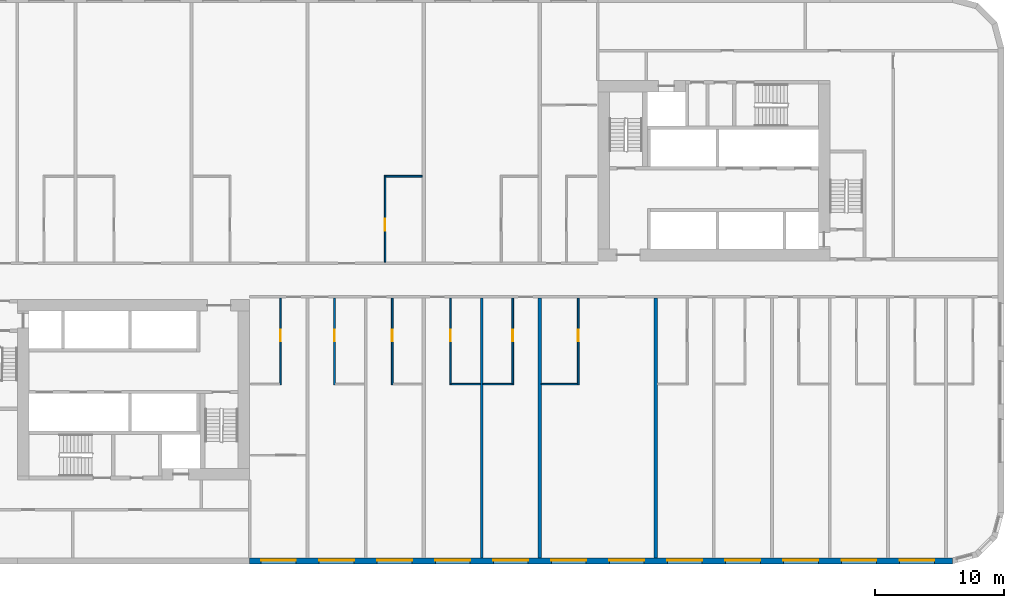
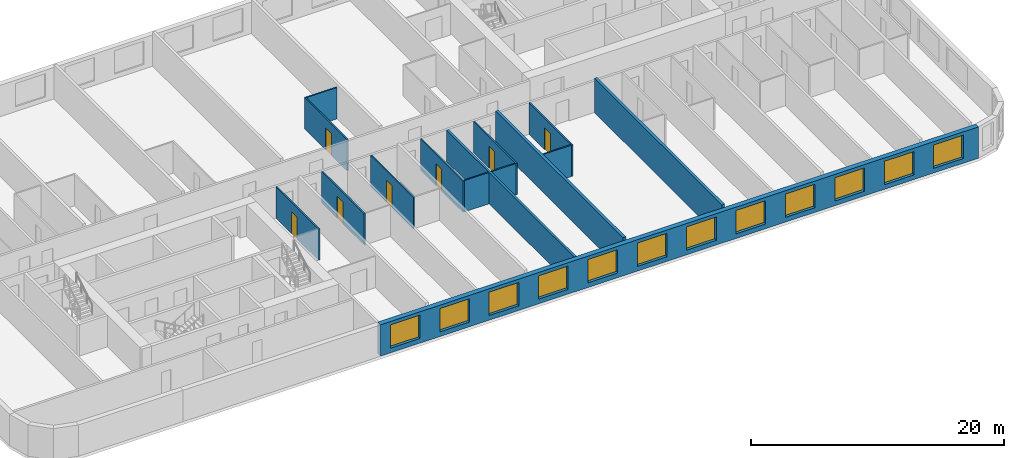
# One storey, part 4 of 12: 15 walls, 12 windows, 7 doors, 19 openings.
"""IFC4 building model written with IfcOpenShell, lengths in metres."""

from ifc_helpers import new_model, si_unit, direction, frame, frame_2d, origin, place, context, subcontext, project, spatial, rectangle, extrude, material, layer, layer_set, type_object, element, fill, save


model = new_model("IFC4")

# Units and contexts
model_context = context("Model", 3, precision=1e-05, world=origin(), true_north=direction((0.0, 1.0)))
body_context = subcontext(model_context, "Body", "Model", "MODEL_VIEW")
ifc_project = project(units=[si_unit("LENGTHUNIT", "METRE"), si_unit("AREAUNIT", "SQUARE_METRE"), si_unit("VOLUMEUNIT", "CUBIC_METRE"), si_unit("PLANEANGLEUNIT", "RADIAN"), si_unit("MASSUNIT", "GRAM", prefix="KILO")], contexts=[model_context])

# Site, building, storey
site_placement = place(None, origin())
site = spatial("IfcSite", under=ifc_project, at=site_placement, CompositionType="ELEMENT")
building_placement = place(site_placement, origin())
building = spatial("IfcBuilding", under=site, at=building_placement, Name="Kajstack Hotel Tower", CompositionType="ELEMENT")
storey_placement = place(building_placement, frame((0.0, 0.0, 86.39990234375)))
storey = spatial("IfcBuildingStorey", under=building, at=storey_placement, Name="L17", CompositionType="ELEMENT", Elevation=86.39990234375)

# Wall
ifc_material_1 = material(Name="Twin-frame gypsum board on steel studs, mineral wool", Category="steel")
ifc_layer_1 = layer(ifc_material_1, 0.199951171875)
ifc_layer_set_1 = layer_set([ifc_layer_1], Name="Demising wall 200")
wall_type_1 = type_object("IfcWallType", Name="Demising wall 200", PredefinedType="PARTITIONING", material=ifc_layer_set_1)
wall_1_placement = place(storey_placement, frame((4.5, -21.550048828125, 0.0), z_axis=(0.0, 0.0, 1.0), x_axis=(0.0, 1.0, 0.0)))
element("IfcWall", 1, at=wall_1_placement, inside=storey, type_object=wall_type_1, Name="G-wall-L17-033", PredefinedType="PARTITIONING", context=body_context, shape_type="SweptSolid", body=[
    extrude(rectangle(XDim=20.150146484375, YDim=0.199951171875, at=frame_2d((10.0751953125, 0.0))), origin(), (0.0, 0.0, 1.0), 3.02001953125),
])

# Wall, openings, windows
ifc_material_2 = material(Name="Terracotta-faced brick masonry", Category="masonry")
ifc_layer_2 = layer(ifc_material_2, 0.449951171875)
ifc_layer_set_2 = layer_set([ifc_layer_2], Name="EW-TERRA")
wall_type_2 = type_object("IfcWallType", Name="EW-TERRA", PredefinedType="SOLIDWALL", material=ifc_layer_set_2)
wall_2_placement = place(storey_placement, frame((-13.5, -21.77490234375, 0.0), z_axis=(0.0, 0.0, 1.0), x_axis=(1.0, 0.0, 0.0)))
wall_2 = element("IfcWall", 2, at=wall_2_placement, inside=storey, type_object=wall_type_2, Name="E-wall-L17-03-02", PredefinedType="SOLIDWALL", context=body_context, shape_type="SweptSolid", body=[
    extrude(rectangle(XDim=54.5, YDim=0.449951171875, at=frame_2d((27.25, 0.0))), origin(), (0.0, 0.0, 1.0), 3.02001953125),
])
opening_1_placement = place(wall_2_placement, frame((0.89990234375, 0.0, 0.449951171875)))
opening_1 = element("IfcOpeningElement", 3, at=opening_1_placement, cuts=wall_2, Name="Opening W1", PredefinedType="OPENING", context=body_context, shape_type="SweptSolid", body=[
    extrude(rectangle(XDim=2.699951171875, YDim=2.25, at=frame_2d((1.35009765625, 1.125))), frame((0.0, 0.23486328125, 0.0), z_axis=(0.0, -1.0, 0.0), x_axis=(1.0, 0.0, 0.0)), (0.0, 0.0, 1.0), 0.469970703125),
])
opening_2_placement = place(wall_2_placement, frame((5.39990234375, 0.0, 0.449951171875)))
opening_2 = element("IfcOpeningElement", 4, at=opening_2_placement, cuts=wall_2, Name="Opening W1", PredefinedType="OPENING", context=body_context, shape_type="SweptSolid", body=[
    extrude(rectangle(XDim=2.699951171875, YDim=2.25, at=frame_2d((1.35009765625, 1.125))), frame((0.0, 0.23486328125, 0.0), z_axis=(0.0, -1.0, 0.0), x_axis=(1.0, 0.0, 0.0)), (0.0, 0.0, 1.0), 0.469970703125),
])
opening_3_placement = place(wall_2_placement, frame((9.89990234375, 0.0, 0.449951171875)))
opening_3 = element("IfcOpeningElement", 5, at=opening_3_placement, cuts=wall_2, Name="Opening W1", PredefinedType="OPENING", context=body_context, shape_type="SweptSolid", body=[
    extrude(rectangle(XDim=2.699951171875, YDim=2.25, at=frame_2d((1.35009765625, 1.125))), frame((0.0, 0.23486328125, 0.0), z_axis=(0.0, -1.0, 0.0), x_axis=(1.0, 0.0, 0.0)), (0.0, 0.0, 1.0), 0.469970703125),
])
opening_4_placement = place(wall_2_placement, frame((14.39990234375, 0.0, 0.449951171875)))
opening_4 = element("IfcOpeningElement", 6, at=opening_4_placement, cuts=wall_2, Name="Opening W1", PredefinedType="OPENING", context=body_context, shape_type="SweptSolid", body=[
    extrude(rectangle(XDim=2.699951171875, YDim=2.25, at=frame_2d((1.35009765625, 1.125))), frame((0.0, 0.23486328125, 0.0), z_axis=(0.0, -1.0, 0.0), x_axis=(1.0, 0.0, 0.0)), (0.0, 0.0, 1.0), 0.469970703125),
])
opening_5_placement = place(wall_2_placement, frame((18.89990234375, 0.0, 0.449951171875)))
opening_5 = element("IfcOpeningElement", 7, at=opening_5_placement, cuts=wall_2, Name="Opening W1", PredefinedType="OPENING", context=body_context, shape_type="SweptSolid", body=[
    extrude(rectangle(XDim=2.699951171875, YDim=2.25, at=frame_2d((1.35009765625, 1.125))), frame((0.0, 0.23486328125, 0.0), z_axis=(0.0, -1.0, 0.0), x_axis=(1.0, 0.0, 0.0)), (0.0, 0.0, 1.0), 0.469970703125),
])
opening_6_placement = place(wall_2_placement, frame((23.39990234375, 0.0, 0.449951171875)))
opening_6 = element("IfcOpeningElement", 8, at=opening_6_placement, cuts=wall_2, Name="Opening W1", PredefinedType="OPENING", context=body_context, shape_type="SweptSolid", body=[
    extrude(rectangle(XDim=2.699951171875, YDim=2.25, at=frame_2d((1.35009765625, 1.125))), frame((0.0, 0.23486328125, 0.0), z_axis=(0.0, -1.0, 0.0), x_axis=(1.0, 0.0, 0.0)), (0.0, 0.0, 1.0), 0.469970703125),
])
opening_7_placement = place(wall_2_placement, frame((27.89990234375, 0.0, 0.449951171875)))
opening_7 = element("IfcOpeningElement", 9, at=opening_7_placement, cuts=wall_2, Name="Opening W1", PredefinedType="OPENING", context=body_context, shape_type="SweptSolid", body=[
    extrude(rectangle(XDim=2.699951171875, YDim=2.25, at=frame_2d((1.35009765625, 1.125))), frame((0.0, 0.23486328125, 0.0), z_axis=(0.0, -1.0, 0.0), x_axis=(1.0, 0.0, 0.0)), (0.0, 0.0, 1.0), 0.469970703125),
])
opening_8_placement = place(wall_2_placement, frame((32.39990234375, 0.0, 0.449951171875)))
opening_8 = element("IfcOpeningElement", 10, at=opening_8_placement, cuts=wall_2, Name="Opening W1", PredefinedType="OPENING", context=body_context, shape_type="SweptSolid", body=[
    extrude(rectangle(XDim=2.699951171875, YDim=2.25, at=frame_2d((1.35009765625, 1.125))), frame((0.0, 0.23486328125, 0.0), z_axis=(0.0, -1.0, 0.0), x_axis=(1.0, 0.0, 0.0)), (0.0, 0.0, 1.0), 0.469970703125),
])
opening_9_placement = place(wall_2_placement, frame((36.89990234375, 0.0, 0.449951171875)))
opening_9 = element("IfcOpeningElement", 11, at=opening_9_placement, cuts=wall_2, Name="Opening W1", PredefinedType="OPENING", context=body_context, shape_type="SweptSolid", body=[
    extrude(rectangle(XDim=2.699951171875, YDim=2.25, at=frame_2d((1.35009765625, 1.125))), frame((0.0, 0.23486328125, 0.0), z_axis=(0.0, -1.0, 0.0), x_axis=(1.0, 0.0, 0.0)), (0.0, 0.0, 1.0), 0.469970703125),
])
opening_10_placement = place(wall_2_placement, frame((41.39990234375, 0.0, 0.449951171875)))
opening_10 = element("IfcOpeningElement", 12, at=opening_10_placement, cuts=wall_2, Name="Opening W1", PredefinedType="OPENING", context=body_context, shape_type="SweptSolid", body=[
    extrude(rectangle(XDim=2.699951171875, YDim=2.25, at=frame_2d((1.35009765625, 1.125))), frame((0.0, 0.23486328125, 0.0), z_axis=(0.0, -1.0, 0.0), x_axis=(1.0, 0.0, 0.0)), (0.0, 0.0, 1.0), 0.469970703125),
])
opening_11_placement = place(wall_2_placement, frame((45.89990234375, 0.0, 0.449951171875)))
opening_11 = element("IfcOpeningElement", 13, at=opening_11_placement, cuts=wall_2, Name="Opening W1", PredefinedType="OPENING", context=body_context, shape_type="SweptSolid", body=[
    extrude(rectangle(XDim=2.699951171875, YDim=2.25, at=frame_2d((1.35009765625, 1.125))), frame((0.0, 0.23486328125, 0.0), z_axis=(0.0, -1.0, 0.0), x_axis=(1.0, 0.0, 0.0)), (0.0, 0.0, 1.0), 0.469970703125),
])
opening_12_placement = place(wall_2_placement, frame((50.39990234375, 0.0, 0.449951171875)))
opening_12 = element("IfcOpeningElement", 14, at=opening_12_placement, cuts=wall_2, Name="Opening W1", PredefinedType="OPENING", context=body_context, shape_type="SweptSolid", body=[
    extrude(rectangle(XDim=2.699951171875, YDim=2.25, at=frame_2d((1.35009765625, 1.125))), frame((0.0, 0.23486328125, 0.0), z_axis=(0.0, -1.0, 0.0), x_axis=(1.0, 0.0, 0.0)), (0.0, 0.0, 1.0), 0.469970703125),
])
ifc_material_3 = material(Name="Timber-aluminium window, triple glazed", Category="wood")
window_type = type_object("IfcWindowType", Name="WG1", PartitioningType="SINGLE_PANEL", PredefinedType="WINDOW", material=ifc_material_3)
window_1_placement = place(opening_1_placement, origin())
window_1 = element("IfcWindow", 15, at=window_1_placement, inside=storey, type_object=window_type, Name="Window W1 L17-03", OverallHeight=2.25, OverallWidth=2.699951171875, PartitioningType="SINGLE_PANEL", PredefinedType="WINDOW", context=body_context, shape_type="SweptSolid", body=[
    extrude(rectangle(XDim=2.699951171875, YDim=2.25, at=frame_2d((1.35009765625, 1.125))), frame((0.0, 0.090087890625, 0.0), z_axis=(0.0, -1.0, 0.0), x_axis=(1.0, 0.0, 0.0)), (0.0, 0.0, 1.0), 0.06005859375),
])
fill(opening_1, window_1)
window_2_placement = place(opening_2_placement, origin())
window_2 = element("IfcWindow", 16, at=window_2_placement, inside=storey, type_object=window_type, Name="Window W1 L17-03", OverallHeight=2.25, OverallWidth=2.699951171875, PartitioningType="SINGLE_PANEL", PredefinedType="WINDOW", context=body_context, shape_type="SweptSolid", body=[
    extrude(rectangle(XDim=2.699951171875, YDim=2.25, at=frame_2d((1.35009765625, 1.125))), frame((0.0, 0.090087890625, 0.0), z_axis=(0.0, -1.0, 0.0), x_axis=(1.0, 0.0, 0.0)), (0.0, 0.0, 1.0), 0.06005859375),
])
fill(opening_2, window_2)
window_3_placement = place(opening_3_placement, origin())
window_3 = element("IfcWindow", 17, at=window_3_placement, inside=storey, type_object=window_type, Name="Window W1 L17-03", OverallHeight=2.25, OverallWidth=2.699951171875, PartitioningType="SINGLE_PANEL", PredefinedType="WINDOW", context=body_context, shape_type="SweptSolid", body=[
    extrude(rectangle(XDim=2.699951171875, YDim=2.25, at=frame_2d((1.35009765625, 1.125))), frame((0.0, 0.090087890625, 0.0), z_axis=(0.0, -1.0, 0.0), x_axis=(1.0, 0.0, 0.0)), (0.0, 0.0, 1.0), 0.06005859375),
])
fill(opening_3, window_3)
window_4_placement = place(opening_4_placement, origin())
window_4 = element("IfcWindow", 18, at=window_4_placement, inside=storey, type_object=window_type, Name="Window W1 L17-03", OverallHeight=2.25, OverallWidth=2.699951171875, PartitioningType="SINGLE_PANEL", PredefinedType="WINDOW", context=body_context, shape_type="SweptSolid", body=[
    extrude(rectangle(XDim=2.699951171875, YDim=2.25, at=frame_2d((1.35009765625, 1.125))), frame((0.0, 0.090087890625, 0.0), z_axis=(0.0, -1.0, 0.0), x_axis=(1.0, 0.0, 0.0)), (0.0, 0.0, 1.0), 0.06005859375),
])
fill(opening_4, window_4)
window_5_placement = place(opening_5_placement, origin())
window_5 = element("IfcWindow", 19, at=window_5_placement, inside=storey, type_object=window_type, Name="Window W1 L17-03", OverallHeight=2.25, OverallWidth=2.699951171875, PartitioningType="SINGLE_PANEL", PredefinedType="WINDOW", context=body_context, shape_type="SweptSolid", body=[
    extrude(rectangle(XDim=2.699951171875, YDim=2.25, at=frame_2d((1.35009765625, 1.125))), frame((0.0, 0.090087890625, 0.0), z_axis=(0.0, -1.0, 0.0), x_axis=(1.0, 0.0, 0.0)), (0.0, 0.0, 1.0), 0.06005859375),
])
fill(opening_5, window_5)
window_6_placement = place(opening_6_placement, origin())
window_6 = element("IfcWindow", 20, at=window_6_placement, inside=storey, type_object=window_type, Name="Window W1 L17-03", OverallHeight=2.25, OverallWidth=2.699951171875, PartitioningType="SINGLE_PANEL", PredefinedType="WINDOW", context=body_context, shape_type="SweptSolid", body=[
    extrude(rectangle(XDim=2.699951171875, YDim=2.25, at=frame_2d((1.35009765625, 1.125))), frame((0.0, 0.090087890625, 0.0), z_axis=(0.0, -1.0, 0.0), x_axis=(1.0, 0.0, 0.0)), (0.0, 0.0, 1.0), 0.06005859375),
])
fill(opening_6, window_6)
window_7_placement = place(opening_7_placement, origin())
window_7 = element("IfcWindow", 21, at=window_7_placement, inside=storey, type_object=window_type, Name="Window W1 L17-03", OverallHeight=2.25, OverallWidth=2.699951171875, PartitioningType="SINGLE_PANEL", PredefinedType="WINDOW", context=body_context, shape_type="SweptSolid", body=[
    extrude(rectangle(XDim=2.699951171875, YDim=2.25, at=frame_2d((1.35009765625, 1.125))), frame((0.0, 0.090087890625, 0.0), z_axis=(0.0, -1.0, 0.0), x_axis=(1.0, 0.0, 0.0)), (0.0, 0.0, 1.0), 0.06005859375),
])
fill(opening_7, window_7)
window_8_placement = place(opening_8_placement, origin())
window_8 = element("IfcWindow", 22, at=window_8_placement, inside=storey, type_object=window_type, Name="Window W1 L17-03", OverallHeight=2.25, OverallWidth=2.699951171875, PartitioningType="SINGLE_PANEL", PredefinedType="WINDOW", context=body_context, shape_type="SweptSolid", body=[
    extrude(rectangle(XDim=2.699951171875, YDim=2.25, at=frame_2d((1.35009765625, 1.125))), frame((0.0, 0.090087890625, 0.0), z_axis=(0.0, -1.0, 0.0), x_axis=(1.0, 0.0, 0.0)), (0.0, 0.0, 1.0), 0.06005859375),
])
fill(opening_8, window_8)
window_9_placement = place(opening_9_placement, origin())
window_9 = element("IfcWindow", 23, at=window_9_placement, inside=storey, type_object=window_type, Name="Window W1 L17-03", OverallHeight=2.25, OverallWidth=2.699951171875, PartitioningType="SINGLE_PANEL", PredefinedType="WINDOW", context=body_context, shape_type="SweptSolid", body=[
    extrude(rectangle(XDim=2.699951171875, YDim=2.25, at=frame_2d((1.35009765625, 1.125))), frame((0.0, 0.090087890625, 0.0), z_axis=(0.0, -1.0, 0.0), x_axis=(1.0, 0.0, 0.0)), (0.0, 0.0, 1.0), 0.06005859375),
])
fill(opening_9, window_9)
window_10_placement = place(opening_10_placement, origin())
window_10 = element("IfcWindow", 24, at=window_10_placement, inside=storey, type_object=window_type, Name="Window W1 L17-03", OverallHeight=2.25, OverallWidth=2.699951171875, PartitioningType="SINGLE_PANEL", PredefinedType="WINDOW", context=body_context, shape_type="SweptSolid", body=[
    extrude(rectangle(XDim=2.699951171875, YDim=2.25, at=frame_2d((1.35009765625, 1.125))), frame((0.0, 0.090087890625, 0.0), z_axis=(0.0, -1.0, 0.0), x_axis=(1.0, 0.0, 0.0)), (0.0, 0.0, 1.0), 0.06005859375),
])
fill(opening_10, window_10)
window_11_placement = place(opening_11_placement, origin())
window_11 = element("IfcWindow", 25, at=window_11_placement, inside=storey, type_object=window_type, Name="Window W1 L17-03", OverallHeight=2.25, OverallWidth=2.699951171875, PartitioningType="SINGLE_PANEL", PredefinedType="WINDOW", context=body_context, shape_type="SweptSolid", body=[
    extrude(rectangle(XDim=2.699951171875, YDim=2.25, at=frame_2d((1.35009765625, 1.125))), frame((0.0, 0.090087890625, 0.0), z_axis=(0.0, -1.0, 0.0), x_axis=(1.0, 0.0, 0.0)), (0.0, 0.0, 1.0), 0.06005859375),
])
fill(opening_11, window_11)
window_12_placement = place(opening_12_placement, origin())
window_12 = element("IfcWindow", 26, at=window_12_placement, inside=storey, type_object=window_type, Name="Window W1 L17-03", OverallHeight=2.25, OverallWidth=2.699951171875, PartitioningType="SINGLE_PANEL", PredefinedType="WINDOW", context=body_context, shape_type="SweptSolid", body=[
    extrude(rectangle(XDim=2.699951171875, YDim=2.25, at=frame_2d((1.35009765625, 1.125))), frame((0.0, 0.090087890625, 0.0), z_axis=(0.0, -1.0, 0.0), x_axis=(1.0, 0.0, 0.0)), (0.0, 0.0, 1.0), 0.06005859375),
])
fill(opening_12, window_12)

# Wall, opening, door
ifc_material_4 = material(Name="Gypsum board and tiled backer on steel studs", Category="steel")
ifc_layer_3 = layer(ifc_material_4, 0.125)
ifc_layer_set_3 = layer_set([ifc_layer_3], Name="En-suite wall 125")
wall_type_3 = type_object("IfcWallType", Name="En-suite wall 125", PredefinedType="PARTITIONING", material=ifc_layer_set_3)
wall_3_placement = place(storey_placement, frame((-2.987060546875, 1.39990234375, 0.0), z_axis=(0.0, 0.0, 1.0), x_axis=(0.0, 1.0, 0.0)))
wall_3 = element("IfcWall", 27, at=wall_3_placement, inside=storey, type_object=wall_type_3, Name="G-wall-L17-017", PredefinedType="PARTITIONING", context=body_context, shape_type="SweptSolid", body=[
    extrude(rectangle(XDim=6.72509765625, YDim=0.125, at=frame_2d((3.362548828125, 0.0))), origin(), (0.0, 0.0, 1.0), 3.02001953125),
])
opening_13_placement = place(wall_3_placement, frame((2.449951171875, 0.0, 0.0)))
opening_13 = element("IfcOpeningElement", 28, at=opening_13_placement, cuts=wall_3, Name="Opening 17014", PredefinedType="OPENING", context=body_context, shape_type="SweptSolid", body=[
    extrude(rectangle(XDim=0.89990234375, YDim=2.10009765625, at=frame_2d((0.449951171875, 1.050048828125))), frame((0.0, 0.072509765625, 0.0), z_axis=(0.0, -1.0, 0.0), x_axis=(1.0, 0.0, 0.0)), (0.0, 0.0, 1.0), 0.14501953125),
])
ifc_material_5 = material(Name="Painted timber door leaf", Category="wood")
door_type = type_object("IfcDoorType", Name="Room door 900", OperationType="SINGLE_SWING_LEFT", PredefinedType="DOOR", material=ifc_material_5)
door_1_placement = place(opening_13_placement, origin())
door_1 = element("IfcDoor", 29, at=door_1_placement, inside=storey, type_object=door_type, Name="G-door-L17-14", OperationType="SINGLE_SWING_RIGHT", OverallHeight=2.10009765625, OverallWidth=0.89990234375, PredefinedType="DOOR", context=body_context, shape_type="SweptSolid", body=[
    extrude(rectangle(XDim=0.89990234375, YDim=2.10009765625, at=frame_2d((0.449951171875, 1.050048828125))), frame((0.0, 0.02490234375, 0.0), z_axis=(0.0, -1.0, 0.0), x_axis=(1.0, 0.0, 0.0)), (0.0, 0.0, 1.0), 0.050048828125),
])
fill(opening_13, door_1)

# Wall
wall_4_placement = place(storey_placement, frame((-2.925048828125, 8.06201171875, 0.0), z_axis=(0.0, 0.0, 1.0), x_axis=(1.0, 0.0, 0.0)))
element("IfcWall", 30, at=wall_4_placement, inside=storey, type_object=wall_type_3, Name="G-wall-L17-018", PredefinedType="PARTITIONING", context=body_context, shape_type="SweptSolid", body=[
    extrude(rectangle(XDim=2.800048828125, YDim=0.125, at=frame_2d((1.39990234375, 0.0))), origin(), (0.0, 0.0, 1.0), 3.02001953125),
])

# Wall, opening, door
wall_5_placement = place(storey_placement, frame((-11.087890625, -8.125, 0.0), z_axis=(0.0, 0.0, 1.0), x_axis=(0.0, 1.0, 0.0)))
wall_5 = element("IfcWall", 31, at=wall_5_placement, inside=storey, type_object=wall_type_3, Name="G-wall-L17-025", PredefinedType="PARTITIONING", context=body_context, shape_type="SweptSolid", body=[
    extrude(rectangle(XDim=6.72509765625, YDim=0.125, at=frame_2d((3.362548828125, 0.0))), origin(), (0.0, 0.0, 1.0), 3.02001953125),
])
opening_14_placement = place(wall_5_placement, frame((3.375, 0.0, 0.0)))
opening_14 = element("IfcOpeningElement", 32, at=opening_14_placement, cuts=wall_5, Name="Opening 17021", PredefinedType="OPENING", context=body_context, shape_type="SweptSolid", body=[
    extrude(rectangle(XDim=0.89990234375, YDim=2.10009765625, at=frame_2d((0.449951171875, 1.050048828125))), frame((0.0, 0.072509765625, 0.0), z_axis=(0.0, -1.0, 0.0), x_axis=(1.0, 0.0, 0.0)), (0.0, 0.0, 1.0), 0.14501953125),
])
door_2_placement = place(opening_14_placement, origin())
door_2 = element("IfcDoor", 33, at=door_2_placement, inside=storey, type_object=door_type, Name="G-door-L17-21", OperationType="SINGLE_SWING_LEFT", OverallHeight=2.10009765625, OverallWidth=0.89990234375, PredefinedType="DOOR", context=body_context, shape_type="SweptSolid", body=[
    extrude(rectangle(XDim=0.89990234375, YDim=2.10009765625, at=frame_2d((0.449951171875, 1.050048828125))), frame((0.0, 0.02490234375, 0.0), z_axis=(0.0, -1.0, 0.0), x_axis=(1.0, 0.0, 0.0)), (0.0, 0.0, 1.0), 0.050048828125),
])
fill(opening_14, door_2)

wall_6_placement = place(storey_placement, frame((-6.912109375, -8.125, 0.0), z_axis=(0.0, 0.0, 1.0), x_axis=(0.0, 1.0, 0.0)))
wall_6 = element("IfcWall", 34, at=wall_6_placement, inside=storey, type_object=wall_type_3, Name="G-wall-L17-029", PredefinedType="PARTITIONING", context=body_context, shape_type="SweptSolid", body=[
    extrude(rectangle(XDim=6.72509765625, YDim=0.125, at=frame_2d((3.362548828125, 0.0))), origin(), (0.0, 0.0, 1.0), 3.02001953125),
])
opening_15_placement = place(wall_6_placement, frame((3.375, 0.0, 0.0)))
opening_15 = element("IfcOpeningElement", 35, at=opening_15_placement, cuts=wall_6, Name="Opening 17024", PredefinedType="OPENING", context=body_context, shape_type="SweptSolid", body=[
    extrude(rectangle(XDim=0.89990234375, YDim=2.10009765625, at=frame_2d((0.449951171875, 1.050048828125))), frame((0.0, 0.072509765625, 0.0), z_axis=(0.0, -1.0, 0.0), x_axis=(1.0, 0.0, 0.0)), (0.0, 0.0, 1.0), 0.14501953125),
])
door_3_placement = place(opening_15_placement, origin())
door_3 = element("IfcDoor", 36, at=door_3_placement, inside=storey, type_object=door_type, Name="G-door-L17-24", OperationType="SINGLE_SWING_LEFT", OverallHeight=2.10009765625, OverallWidth=0.89990234375, PredefinedType="DOOR", context=body_context, shape_type="SweptSolid", body=[
    extrude(rectangle(XDim=0.89990234375, YDim=2.10009765625, at=frame_2d((0.449951171875, 1.050048828125))), frame((0.0, 0.02490234375, 0.0), z_axis=(0.0, -1.0, 0.0), x_axis=(1.0, 0.0, 0.0)), (0.0, 0.0, 1.0), 0.050048828125),
])
fill(opening_15, door_3)

wall_7_placement = place(storey_placement, frame((-2.43798828125, -8.125, 0.0), z_axis=(0.0, 0.0, 1.0), x_axis=(0.0, 1.0, 0.0)))
wall_7 = element("IfcWall", 37, at=wall_7_placement, inside=storey, type_object=wall_type_3, Name="G-wall-L17-031", PredefinedType="PARTITIONING", context=body_context, shape_type="SweptSolid", body=[
    extrude(rectangle(XDim=6.72509765625, YDim=0.125, at=frame_2d((3.362548828125, 0.0))), origin(), (0.0, 0.0, 1.0), 3.02001953125),
])
opening_16_placement = place(wall_7_placement, frame((3.375, 0.0, 0.0)))
opening_16 = element("IfcOpeningElement", 38, at=opening_16_placement, cuts=wall_7, Name="Opening 17026", PredefinedType="OPENING", context=body_context, shape_type="SweptSolid", body=[
    extrude(rectangle(XDim=0.89990234375, YDim=2.10009765625, at=frame_2d((0.449951171875, 1.050048828125))), frame((0.0, 0.072509765625, 0.0), z_axis=(0.0, -1.0, 0.0), x_axis=(1.0, 0.0, 0.0)), (0.0, 0.0, 1.0), 0.14501953125),
])
door_4_placement = place(opening_16_placement, origin())
door_4 = element("IfcDoor", 39, at=door_4_placement, inside=storey, type_object=door_type, Name="G-door-L17-26", OperationType="SINGLE_SWING_LEFT", OverallHeight=2.10009765625, OverallWidth=0.89990234375, PredefinedType="DOOR", context=body_context, shape_type="SweptSolid", body=[
    extrude(rectangle(XDim=0.89990234375, YDim=2.10009765625, at=frame_2d((0.449951171875, 1.050048828125))), frame((0.0, 0.02490234375, 0.0), z_axis=(0.0, -1.0, 0.0), x_axis=(1.0, 0.0, 0.0)), (0.0, 0.0, 1.0), 0.050048828125),
])
fill(opening_16, door_4)

wall_8_placement = place(storey_placement, frame((2.0869140625, -8.125, 0.0), z_axis=(0.0, 0.0, 1.0), x_axis=(0.0, 1.0, 0.0)))
wall_8 = element("IfcWall", 40, at=wall_8_placement, inside=storey, type_object=wall_type_3, Name="G-wall-L17-034", PredefinedType="PARTITIONING", context=body_context, shape_type="SweptSolid", body=[
    extrude(rectangle(XDim=6.72509765625, YDim=0.125, at=frame_2d((3.362548828125, 0.0))), origin(), (0.0, 0.0, 1.0), 3.02001953125),
])
opening_17_placement = place(wall_8_placement, frame((3.375, 0.0, 0.0)))
opening_17 = element("IfcOpeningElement", 41, at=opening_17_placement, cuts=wall_8, Name="Opening 17028", PredefinedType="OPENING", context=body_context, shape_type="SweptSolid", body=[
    extrude(rectangle(XDim=0.89990234375, YDim=2.10009765625, at=frame_2d((0.449951171875, 1.050048828125))), frame((0.0, 0.072509765625, 0.0), z_axis=(0.0, -1.0, 0.0), x_axis=(1.0, 0.0, 0.0)), (0.0, 0.0, 1.0), 0.14501953125),
])
door_5_placement = place(opening_17_placement, origin())
door_5 = element("IfcDoor", 42, at=door_5_placement, inside=storey, type_object=door_type, Name="G-door-L17-28", OperationType="SINGLE_SWING_RIGHT", OverallHeight=2.10009765625, OverallWidth=0.89990234375, PredefinedType="DOOR", context=body_context, shape_type="SweptSolid", body=[
    extrude(rectangle(XDim=0.89990234375, YDim=2.10009765625, at=frame_2d((0.449951171875, 1.050048828125))), frame((0.0, 0.02490234375, 0.0), z_axis=(0.0, -1.0, 0.0), x_axis=(1.0, 0.0, 0.0)), (0.0, 0.0, 1.0), 0.050048828125),
])
fill(opening_17, door_5)

# Wall
wall_9_placement = place(storey_placement, frame((2.14990234375, -8.06201171875, 0.0), z_axis=(0.0, 0.0, 1.0), x_axis=(1.0, 0.0, 0.0)))
element("IfcWall", 43, at=wall_9_placement, inside=storey, type_object=wall_type_3, Name="G-wall-L17-035", PredefinedType="PARTITIONING", context=body_context, shape_type="SweptSolid", body=[
    extrude(rectangle(XDim=2.25, YDim=0.125, at=frame_2d((1.125, 0.0))), origin(), (0.0, 0.0, 1.0), 3.02001953125),
])

# Wall, opening, door
wall_10_placement = place(storey_placement, frame((6.912109375, -8.125, 0.0), z_axis=(0.0, 0.0, 1.0), x_axis=(0.0, 1.0, 0.0)))
wall_10 = element("IfcWall", 44, at=wall_10_placement, inside=storey, type_object=wall_type_3, Name="G-wall-L17-036", PredefinedType="PARTITIONING", context=body_context, shape_type="SweptSolid", body=[
    extrude(rectangle(XDim=6.72509765625, YDim=0.125, at=frame_2d((3.362548828125, 0.0))), origin(), (0.0, 0.0, 1.0), 3.02001953125),
])
opening_18_placement = place(wall_10_placement, frame((3.375, 0.0, 0.0)))
opening_18 = element("IfcOpeningElement", 45, at=opening_18_placement, cuts=wall_10, Name="Opening 17030", PredefinedType="OPENING", context=body_context, shape_type="SweptSolid", body=[
    extrude(rectangle(XDim=0.89990234375, YDim=2.10009765625, at=frame_2d((0.449951171875, 1.050048828125))), frame((0.0, 0.072509765625, 0.0), z_axis=(0.0, -1.0, 0.0), x_axis=(1.0, 0.0, 0.0)), (0.0, 0.0, 1.0), 0.14501953125),
])
door_6_placement = place(opening_18_placement, origin())
door_6 = element("IfcDoor", 46, at=door_6_placement, inside=storey, type_object=door_type, Name="G-door-L17-30", OperationType="SINGLE_SWING_RIGHT", OverallHeight=2.10009765625, OverallWidth=0.89990234375, PredefinedType="DOOR", context=body_context, shape_type="SweptSolid", body=[
    extrude(rectangle(XDim=0.89990234375, YDim=2.10009765625, at=frame_2d((0.449951171875, 1.050048828125))), frame((0.0, 0.02490234375, 0.0), z_axis=(0.0, -1.0, 0.0), x_axis=(1.0, 0.0, 0.0)), (0.0, 0.0, 1.0), 0.050048828125),
])
fill(opening_18, door_6)

# Wall
wall_11_placement = place(storey_placement, frame((4.60009765625, -8.06201171875, 0.0), z_axis=(0.0, 0.0, 1.0), x_axis=(1.0, 0.0, 0.0)))
element("IfcWall", 47, at=wall_11_placement, inside=storey, type_object=wall_type_3, Name="G-wall-L17-037", PredefinedType="PARTITIONING", context=body_context, shape_type="SweptSolid", body=[
    extrude(rectangle(XDim=2.25, YDim=0.125, at=frame_2d((1.125, 0.0))), origin(), (0.0, 0.0, 1.0), 3.02001953125),
])

# Wall, opening, door
wall_12_placement = place(storey_placement, frame((11.988037109375, -8.125, 0.0), z_axis=(0.0, 0.0, 1.0), x_axis=(0.0, 1.0, 0.0)))
wall_12 = element("IfcWall", 48, at=wall_12_placement, inside=storey, type_object=wall_type_3, Name="G-wall-L17-038", PredefinedType="PARTITIONING", context=body_context, shape_type="SweptSolid", body=[
    extrude(rectangle(XDim=6.72509765625, YDim=0.125, at=frame_2d((3.362548828125, 0.0))), origin(), (0.0, 0.0, 1.0), 3.02001953125),
])
opening_19_placement = place(wall_12_placement, frame((3.375, 0.0, 0.0)))
opening_19 = element("IfcOpeningElement", 49, at=opening_19_placement, cuts=wall_12, Name="Opening 17032", PredefinedType="OPENING", context=body_context, shape_type="SweptSolid", body=[
    extrude(rectangle(XDim=0.89990234375, YDim=2.10009765625, at=frame_2d((0.449951171875, 1.050048828125))), frame((0.0, 0.072509765625, 0.0), z_axis=(0.0, -1.0, 0.0), x_axis=(1.0, 0.0, 0.0)), (0.0, 0.0, 1.0), 0.14501953125),
])
door_7_placement = place(opening_19_placement, origin())
door_7 = element("IfcDoor", 50, at=door_7_placement, inside=storey, type_object=door_type, Name="G-door-L17-32", OperationType="SINGLE_SWING_RIGHT", OverallHeight=2.10009765625, OverallWidth=0.89990234375, PredefinedType="DOOR", context=body_context, shape_type="SweptSolid", body=[
    extrude(rectangle(XDim=0.89990234375, YDim=2.10009765625, at=frame_2d((0.449951171875, 1.050048828125))), frame((0.0, 0.02490234375, 0.0), z_axis=(0.0, -1.0, 0.0), x_axis=(1.0, 0.0, 0.0)), (0.0, 0.0, 1.0), 0.050048828125),
])
fill(opening_19, door_7)

# Walls
wall_13_placement = place(storey_placement, frame((9.125, -8.06201171875, 0.0), z_axis=(0.0, 0.0, 1.0), x_axis=(1.0, 0.0, 0.0)))
element("IfcWall", 51, at=wall_13_placement, inside=storey, type_object=wall_type_3, Name="G-wall-L17-039", PredefinedType="PARTITIONING", context=body_context, shape_type="SweptSolid", body=[
    extrude(rectangle(XDim=2.800048828125, YDim=0.125, at=frame_2d((1.39990234375, 0.0))), origin(), (0.0, 0.0, 1.0), 3.02001953125),
])
ifc_material_6 = material(Name="Concrete C60/75", Category="concrete")
ifc_layer_4 = layer(ifc_material_6, 0.25)
ifc_layer_set_4 = layer_set([ifc_layer_4], Name="RC cross wall 250 C60/75")
wall_type_4 = type_object("IfcWallType", Name="RC cross wall 250 C60/75", PredefinedType="SHEAR", material=ifc_layer_set_4)
for number, where, z_axis, x_axis, name in (
    (52, (9.0, -21.5400390625, 0.0), (0.0, 0.0, 1.0), (0.0, 1.0, 0.0), "S-wall-L17-09"),
    (53, (18.0, -21.5400390625, 0.0), (0.0, 0.0, 1.0), (0.0, 1.0, 0.0), "S-wall-L17-11"),
):
    element("IfcWall", number, at=place(storey_placement, frame(where, z_axis=z_axis, x_axis=x_axis)), inside=storey, type_object=wall_type_4, Name=name, PredefinedType="SHEAR", context=body_context, shape_type="SweptSolid", body=[
        extrude(rectangle(XDim=20.14013671875, YDim=0.25, at=frame_2d((10.070068359375, 0.0))), origin(), (0.0, 0.0, 1.0), 3.300048828125),
    ])

save(model, "model.ifc")
